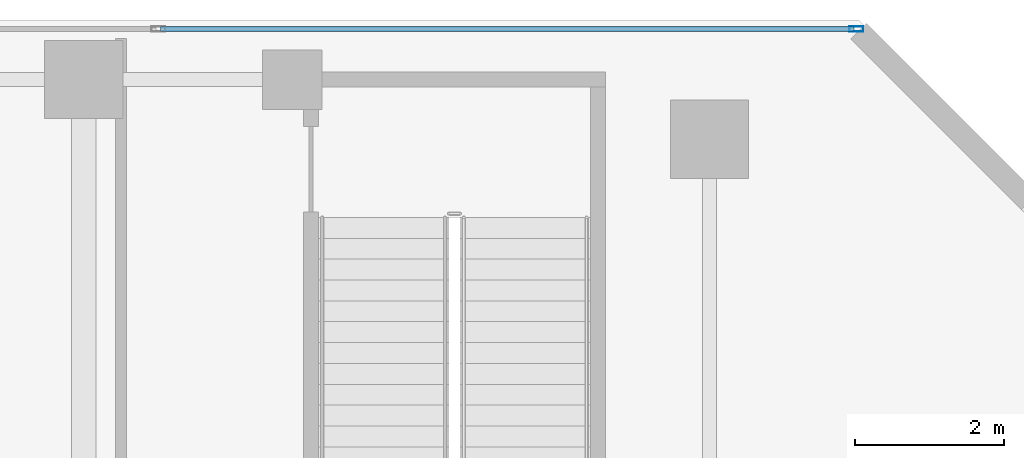
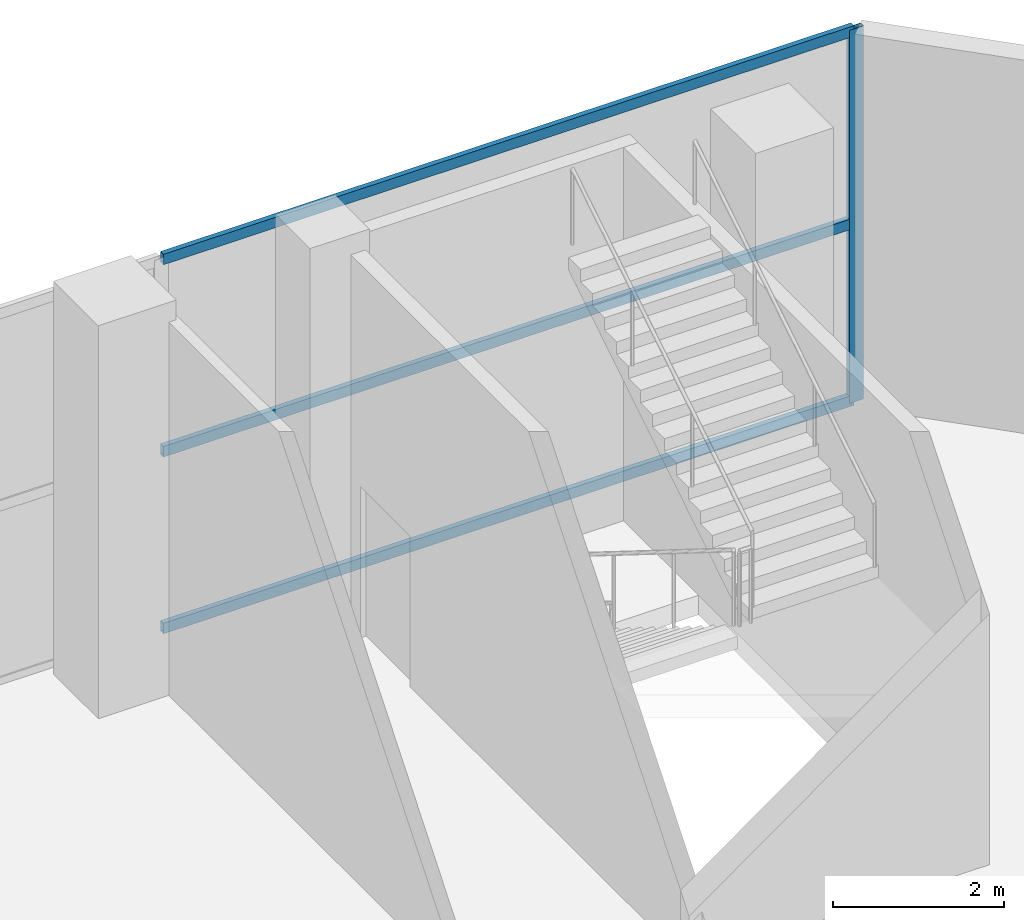
# One storey, part 30 of 40: 4 members, 1 element without a shape of its own.
"""IFC4 building model written with IfcOpenShell, lengths in metres."""

from ifc_helpers import new_model, si_unit, direction, frame, origin, origin_2d, place, context, subcontext, project, spatial, hollow_rectangle, extrude, material, layer, layer_set, material_profile, profile_set, type_object, element, aggregate, save


model = new_model("IFC4")

# Units and contexts
model_context = context("Model", 3, precision=1e-05, world=origin(), true_north=direction((0.0, 1.0)))
body_context = subcontext(model_context, "Body", "Model", "MODEL_VIEW")
ifc_project = project(units=[si_unit("LENGTHUNIT", "METRE"), si_unit("AREAUNIT", "SQUARE_METRE"), si_unit("VOLUMEUNIT", "CUBIC_METRE"), si_unit("PLANEANGLEUNIT", "RADIAN"), si_unit("MASSUNIT", "GRAM", prefix="KILO")], contexts=[model_context])

# Site, building, storey
site_placement = place(None, origin())
site = spatial("IfcSite", under=ifc_project, at=site_placement, CompositionType="ELEMENT")
building_placement = place(site_placement, origin())
building = spatial("IfcBuilding", under=site, at=building_placement, Name="Maruvema Waterfront Hotel and Observation Tower", CompositionType="ELEMENT")
storey_placement = place(building_placement, frame((0.0, 0.0, 10.85009765625)))
storey = spatial("IfcBuildingStorey", under=building, at=storey_placement, Name="L02", CompositionType="ELEMENT", Elevation=10.85009765625)

# Curtain wall, members
ifc_material_1 = material(Name="Anodised bronze aluminium and solar-control low-E IGU", Category="aluminium")
ifc_layer = layer(ifc_material_1, 0.159912109375, Name="Podium Waterfront Storefront Curtain Wall System CW-01")
ifc_layer_set = layer_set([ifc_layer], Name="Anodised bronze aluminium and solar-control low-E IGU")
curtain_wall_type = type_object("IfcCurtainWallType", Name="Podium Waterfront Storefront Curtain Wall System CW-01", PredefinedType="USERDEFINED", material=ifc_layer_set)
curtain_wall_placement = place(storey_placement, origin())
curtain_wall = element("IfcCurtainWall", 1, at=curtain_wall_placement, inside=storey, type_object=curtain_wall_type, Name="L02 Curtain Wall CW-L02-NE", ObjectType="UNITISED CURTAIN WALL", PredefinedType="USERDEFINED")
ifc_material_2 = material(Name="Anodised architectural bronze aluminium", Category="aluminium")
ifc_material_profile_1 = material_profile(ifc_material_2, hollow_rectangle(XDim=0.070068359375, YDim=0.14990234375, WallThickness=0.00390625, at=origin_2d()), Name="ALU-T70x150")
ifc_profile_set_1 = profile_set([ifc_material_profile_1], Name="Anodised architectural bronze aluminium")
member_type_1 = type_object("IfcMemberType", Name="Curtain Wall Horizontal Transom ALU-T70x150", PredefinedType="USERDEFINED", material=ifc_profile_set_1)
member_1_placement = place(storey_placement, frame((69.139892578125, 53.8798828125, 0.02978515625), z_axis=(-1.0, 0.0, 0.0), x_axis=(0.0, -1.0, 0.0)))
member_1 = element("IfcMember", 2, at=member_1_placement, type_object=member_type_1, Name="CW-01 transom 1.1", ObjectType="TRANSOM", PredefinedType="USERDEFINED", context=body_context, shape_type="SweptSolid", body=[
    extrude(hollow_rectangle(XDim=0.070068359375, YDim=0.14990234375, WallThickness=0.00390625, at=origin_2d()), origin(), (0.0, 0.0, 1.0), 9.309814453125),
])
member_2_placement = place(storey_placement, frame((69.139892578125, 53.8798828125, 2.5498046875), z_axis=(-1.0, 0.0, 0.0), x_axis=(0.0, -1.0, 0.0)))
member_2 = element("IfcMember", 3, at=member_2_placement, type_object=member_type_1, Name="CW-01 transom 1.2", ObjectType="TRANSOM", PredefinedType="USERDEFINED", context=body_context, shape_type="SweptSolid", body=[
    extrude(hollow_rectangle(XDim=0.070068359375, YDim=0.14990234375, WallThickness=0.00390625, at=origin_2d()), origin(), (0.0, 0.0, 1.0), 9.309814453125),
])
member_3_placement = place(storey_placement, frame((69.139892578125, 53.8798828125, 5.289794921875), z_axis=(-1.0, 0.0, 0.0), x_axis=(0.0, -1.0, 0.0)))
member_3 = element("IfcMember", 4, at=member_3_placement, type_object=member_type_1, Name="CW-01 transom 1.3", ObjectType="TRANSOM", PredefinedType="USERDEFINED", context=body_context, shape_type="SweptSolid", body=[
    extrude(hollow_rectangle(XDim=0.070068359375, YDim=0.14990234375, WallThickness=0.00390625, at=origin_2d()), origin(), (0.0, 0.0, 1.0), 9.309814453125),
])
ifc_material_3 = material(Name="Anodised architectural bronze aluminium", Category="aluminium")
ifc_material_profile_2 = material_profile(ifc_material_3, hollow_rectangle(XDim=0.070068359375, YDim=0.18994140625, WallThickness=0.00390625, at=origin_2d()), Name="ALU-M70x190")
ifc_profile_set_2 = profile_set([ifc_material_profile_2], Name="Anodised architectural bronze aluminium")
member_type_2 = type_object("IfcMemberType", Name="Podium Storefront Heavy Mullion ALU-M70x190", PredefinedType="MULLION", material=ifc_profile_set_2)
member_4_placement = place(storey_placement, frame((69.169921875, 53.8798828125, 0.0), z_axis=(0.0, 0.0, 1.0), x_axis=(0.0, -1.0, 0.0)))
member_4 = element("IfcMember", 5, at=member_4_placement, type_object=member_type_2, Name="CW-01 mullion 1", PredefinedType="MULLION", context=body_context, shape_type="SweptSolid", body=[
    extrude(hollow_rectangle(XDim=0.070068359375, YDim=0.18994140625, WallThickness=0.00390625, at=origin_2d()), origin(), (0.0, 0.0, 1.0), 5.31982421875),
])
aggregate(curtain_wall, [member_4, member_1, member_2, member_3])

save(model, "model.ifc")
